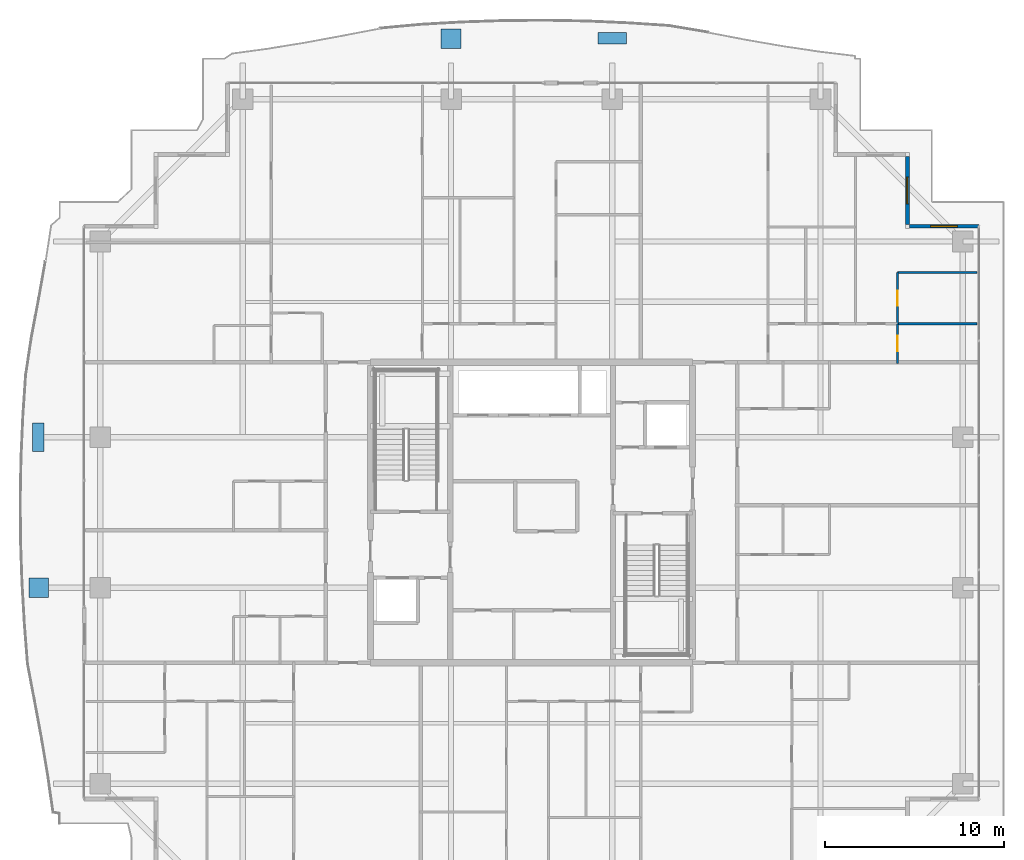
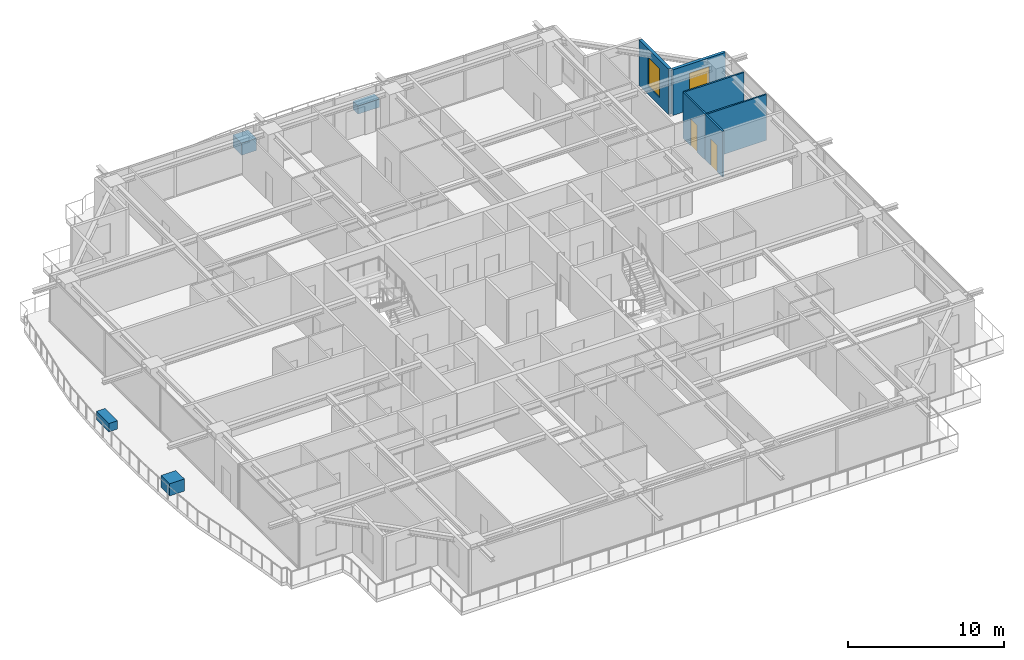
# One storey, part 32 of 39: 6 walls, 4 discrete accessories, 2 doors, 2 windows, 4 openings.
"""IFC4 building model written with IfcOpenShell, lengths in metres."""

from ifc_helpers import new_model, si_unit, direction, frame, frame_2d, origin, origin_2d, place, context, subcontext, project, spatial, rectangle, extrude, source, transform, mapped, material, layer, layer_set, type_object, element, fill, save


model = new_model("IFC4")

# Units and contexts
model_context = context("Model", 3, precision=1e-05, world=origin(), true_north=direction((0.0, 1.0)))
body_context = subcontext(model_context, "Body", "Model", "MODEL_VIEW")
ifc_project = project(units=[si_unit("LENGTHUNIT", "METRE"), si_unit("AREAUNIT", "SQUARE_METRE"), si_unit("VOLUMEUNIT", "CUBIC_METRE"), si_unit("PLANEANGLEUNIT", "RADIAN"), si_unit("MASSUNIT", "GRAM", prefix="KILO")], contexts=[model_context])

# Site, building, storey
site_placement = place(None, origin())
site = spatial("IfcSite", under=ifc_project, at=site_placement, CompositionType="ELEMENT")
building_placement = place(site_placement, origin())
building = spatial("IfcBuilding", under=site, at=building_placement, Name="Serunith Strait Residences", CompositionType="ELEMENT")
storey_placement = place(building_placement, frame((0.0, 0.0, 222.0)))
storey = spatial("IfcBuildingStorey", under=building, at=storey_placement, Name="L55", CompositionType="ELEMENT", Elevation=222.0)

# Wall, opening, window
ifc_material_1 = material(Name="Pale-Champagne Aluminium Insulated Panel", Category="aluminium")
ifc_layer_1 = layer(ifc_material_1, 0.219970703125, Name="Pale-Champagne Aluminium Insulated Panel")
ifc_layer_set_1 = layer_set([ifc_layer_1], Name="Pale-Champagne Aluminium Insulated Panel")
wall_type_1 = type_object("IfcWallType", Name="EW-ALUM-220", PredefinedType="ELEMENTEDWALL", material=ifc_layer_set_1)
wall_1_placement = place(storey_placement, frame((57.39990234375, 41.199951171875, 0.0), z_axis=(0.0, 0.0, 1.0), x_axis=(-1.0, 0.0, 0.0)))
wall_1 = element("IfcWall", 1, at=wall_1_placement, inside=storey, type_object=wall_type_1, Name="L55 Girih Serrated Corner Wall 07", PredefinedType="ELEMENTEDWALL", context=body_context, shape_type="SweptSolid", body=[
    extrude(rectangle(XDim=3.889892578125, YDim=0.219970703125, at=frame_2d((1.94482421875, 0.0))), origin(), (0.0, 0.0, 1.0), 3.574951171875),
])
opening_1_placement = place(wall_1_placement, frame((1.195068359375, 0.0, 0.64990234375)))
opening_1 = element("IfcOpeningElement", 2, at=opening_1_placement, cuts=wall_1, Name="Opening W-05", PredefinedType="OPENING", context=body_context, shape_type="SweptSolid", body=[
    extrude(rectangle(XDim=1.5, YDim=2.25, at=frame_2d((0.75, 1.125))), frame((0.0, 0.1201171875, 0.0), z_axis=(0.0, -1.0, 0.0), x_axis=(1.0, 0.0, 0.0)), (0.0, 0.0, 1.0), 0.239990234375),
])
ifc_material_2 = material(Name="Ceramic-Fritted Operable Aluminium Window Glass", Category="aluminium")
window_type = type_object("IfcWindowType", Name="WIN-C5", PartitioningType="DOUBLE_PANEL_VERTICAL", PredefinedType="WINDOW", material=ifc_material_2)
shared_shape_1 = source(origin(), body_context, "Body", "SweptSolid", [
    extrude(rectangle(XDim=1.5, YDim=2.25, at=frame_2d((0.75, 1.125))), frame((0.0, 0.030029296875, 0.0), z_axis=(0.0, -1.0, 0.0), x_axis=(1.0, 0.0, 0.0)), (0.0, 0.0, 1.0), 0.06005859375),
])
window_1_placement = place(opening_1_placement, origin())
window_1 = element("IfcWindow", 3, at=window_1_placement, inside=storey, type_object=window_type, Name="L55 Corner Operable Fritted Window 07", OverallHeight=2.25, OverallWidth=1.5, PartitioningType="SINGLE_PANEL", PredefinedType="WINDOW", context=body_context, shape_type="MappedRepresentation", body=[
    mapped(shared_shape_1, transform((0.0, 0.0, 0.0), scale=1.0)),
])
fill(opening_1, window_1)

wall_2_placement = place(storey_placement, frame((53.39990234375, 41.31005859375, 0.0), z_axis=(0.0, 0.0, 1.0), x_axis=(0.0, 1.0, 0.0)))
wall_2 = element("IfcWall", 4, at=wall_2_placement, inside=storey, type_object=wall_type_1, Name="L55 Girih Serrated Corner Wall 08", PredefinedType="ELEMENTEDWALL", context=body_context, shape_type="SweptSolid", body=[
    extrude(rectangle(XDim=3.780029296875, YDim=0.219970703125, at=frame_2d((1.89013671875, 0.0))), origin(), (0.0, 0.0, 1.0), 3.574951171875),
])
opening_2_placement = place(wall_2_placement, frame((1.139892578125, 0.0, 0.64990234375)))
opening_2 = element("IfcOpeningElement", 5, at=opening_2_placement, cuts=wall_2, Name="Opening W-05", PredefinedType="OPENING", context=body_context, shape_type="SweptSolid", body=[
    extrude(rectangle(XDim=1.5, YDim=2.25, at=frame_2d((0.75, 1.125))), frame((0.0, 0.1201171875, 0.0), z_axis=(0.0, -1.0, 0.0), x_axis=(1.0, 0.0, 0.0)), (0.0, 0.0, 1.0), 0.239990234375),
])
window_2_placement = place(opening_2_placement, origin())
window_2 = element("IfcWindow", 6, at=window_2_placement, inside=storey, type_object=window_type, Name="L55 Corner Operable Fritted Window 08", OverallHeight=2.25, OverallWidth=1.5, PartitioningType="SINGLE_PANEL", PredefinedType="WINDOW", context=body_context, shape_type="MappedRepresentation", body=[
    mapped(shared_shape_1, transform((0.0, 0.0, 0.0), scale=1.0)),
])
fill(opening_2, window_2)

# Walls
ifc_material_3 = material(Name="Lightweight steel-stud gypsum partition", Category="steel")
ifc_layer_2 = layer(ifc_material_3, 0.1201171875, Name="Lightweight steel-stud gypsum partition")
ifc_layer_set_2 = layer_set([ifc_layer_2], Name="Lightweight steel-stud gypsum partition")
wall_type_2 = type_object("IfcWallType", Name="IW-PART-120", PredefinedType="PARTITIONING", material=ifc_layer_set_2)
wall_3_placement = place(storey_placement, frame((52.85009765625, 38.60693359375, 0.0), z_axis=(0.0, 0.0, 1.0), x_axis=(1.0, 0.0, 0.0)))
element("IfcWall", 7, at=wall_3_placement, inside=storey, type_object=wall_type_2, Name="L55 Partition Wall 099", PredefinedType="PARTITIONING", context=body_context, shape_type="SweptSolid", body=[
    extrude(rectangle(XDim=4.454833984375, YDim=0.1201171875, at=frame_2d((2.2275390625, 0.0))), origin(), (0.0, 0.0, 1.0), 3.590087890625),
])
wall_4_placement = place(storey_placement, frame((52.85205078125, 35.75, 0.0), z_axis=(0.0, 0.0, 1.0), x_axis=(1.0, 0.0, 0.0)))
element("IfcWall", 8, at=wall_4_placement, inside=storey, type_object=wall_type_2, Name="L55 Partition Wall 100", PredefinedType="PARTITIONING", context=body_context, shape_type="SweptSolid", body=[
    extrude(rectangle(XDim=4.452880859375, YDim=0.1201171875, at=frame_2d((2.2265625, 0.0))), origin(), (0.0, 0.0, 1.0), 3.590087890625),
])

# Wall, opening, door
wall_5_placement = place(storey_placement, frame((52.85009765625, 38.60693359375, 0.0), z_axis=(0.0, 0.0, 1.0), x_axis=(0.0, -1.0, 0.0)))
wall_5 = element("IfcWall", 9, at=wall_5_placement, inside=storey, type_object=wall_type_2, Name="L55 Partition Wall 101", PredefinedType="PARTITIONING", context=body_context, shape_type="SweptSolid", body=[
    extrude(rectangle(XDim=2.85693359375, YDim=0.1201171875, at=frame_2d((1.428466796875, 0.0))), origin(), (0.0, 0.0, 1.0), 3.590087890625),
])
opening_3_placement = place(wall_5_placement, frame((1.0029296875, 0.0, 0.0)))
opening_3 = element("IfcOpeningElement", 10, at=opening_3_placement, cuts=wall_5, Name="Opening D-BTH850", PredefinedType="OPENING", context=body_context, shape_type="SweptSolid", body=[
    extrude(rectangle(XDim=0.85009765625, YDim=2.10009765625, at=frame_2d((0.425048828125, 1.050048828125))), frame((0.0, 0.070068359375, 0.0), z_axis=(0.0, -1.0, 0.0), x_axis=(1.0, 0.0, 0.0)), (0.0, 0.0, 1.0), 0.14013671875),
])
ifc_material_4 = material(Name="Moisture-resistant timber bathroom door", Category="wood")
door_type_1 = type_object("IfcDoorType", Name="ID-BATH-850", OperationType="NOTDEFINED", PredefinedType="DOOR", material=ifc_material_4)
shared_shape_2 = source(origin(), body_context, "Body", "SweptSolid", [
    extrude(rectangle(XDim=0.85009765625, YDim=2.10009765625, at=frame_2d((0.425048828125, 1.050048828125))), frame((0.0, 0.02490234375, 0.0), z_axis=(0.0, -1.0, 0.0), x_axis=(1.0, 0.0, 0.0)), (0.0, 0.0, 1.0), 0.050048828125),
])
door_1_placement = place(opening_3_placement, origin())
door_1 = element("IfcDoor", 11, at=door_1_placement, inside=storey, type_object=door_type_1, Name="L55 En-suite Bathroom E 5504 Door", OperationType="SINGLE_SWING_LEFT", OverallHeight=2.10009765625, OverallWidth=0.85009765625, PredefinedType="DOOR", context=body_context, shape_type="MappedRepresentation", body=[
    mapped(shared_shape_2, transform((0.0, 0.0, 0.0), scale=1.0)),
])
fill(opening_3, door_1)

wall_6_placement = place(storey_placement, frame((52.85009765625, 35.748046875, 0.0), z_axis=(0.0, 0.0, 1.0), x_axis=(0.0, -1.0, 0.0)))
wall_6 = element("IfcWall", 12, at=wall_6_placement, inside=storey, type_object=wall_type_2, Name="L55 Partition Wall 102", PredefinedType="PARTITIONING", context=body_context, shape_type="SweptSolid", body=[
    extrude(rectangle(XDim=2.2080078125, YDim=0.1201171875, at=frame_2d((1.10400390625, 0.0))), origin(), (0.0, 0.0, 1.0), 3.590087890625),
])
opening_4_placement = place(wall_6_placement, frame((0.678955078125, 0.0, 0.0)))
opening_4 = element("IfcOpeningElement", 13, at=opening_4_placement, cuts=wall_6, Name="Opening D-RM850", PredefinedType="OPENING", context=body_context, shape_type="SweptSolid", body=[
    extrude(rectangle(XDim=0.85009765625, YDim=2.10009765625, at=frame_2d((0.425048828125, 1.050048828125))), frame((0.0, 0.070068359375, 0.0), z_axis=(0.0, -1.0, 0.0), x_axis=(1.0, 0.0, 0.0)), (0.0, 0.0, 1.0), 0.14013671875),
])
ifc_material_5 = material(Name="Engineered timber flush study and kitchen door", Category="wood")
door_type_2 = type_object("IfcDoorType", Name="ID-ROOM-850", OperationType="NOTDEFINED", PredefinedType="DOOR", material=ifc_material_5)
door_2_placement = place(opening_4_placement, origin())
door_2 = element("IfcDoor", 14, at=door_2_placement, inside=storey, type_object=door_type_2, Name="L55 Wardrobe E 5504 Door", OperationType="SINGLE_SWING_RIGHT", OverallHeight=2.10009765625, OverallWidth=0.85009765625, PredefinedType="DOOR", context=body_context, shape_type="MappedRepresentation", body=[
    mapped(shared_shape_2, transform((0.0, 0.0, 0.0), scale=1.0)),
])
fill(opening_4, door_2)

# Discrete accessories
ifc_material_6 = material(Name="GFRC Root-Anchored Structural Planter")
discrete_accessory_type_1 = type_object("IfcDiscreteAccessoryType", Name="ACC-PLANTER-TREE", PredefinedType="USERDEFINED", material=ifc_material_6)
shared_shape_3 = source(origin(), body_context, "Body", "SweptSolid", [
    extrude(rectangle(XDim=1.10009765625, YDim=1.10009765625, at=origin_2d()), origin(), (0.0, 0.0, 1.0), 0.949951171875),
])
for number, where, z_axis, x_axis, name in (
    (15, (27.89990234375, 51.67236328125, -0.0498046875), (0.0, 0.0, 1.0), (-1.0, 0.0, 0.0), "L55 Vertical-Forest Tree Planter 06"),
    (16, (4.84912109375, 21.0, -0.0498046875), (0.0, 0.0, 1.0), (0.0, -1.0, 0.0), "L55 Vertical-Forest Tree Planter 14"),
):
    element("IfcDiscreteAccessory", number, at=place(storey_placement, frame(where, z_axis=z_axis, x_axis=x_axis)), inside=storey, type_object=discrete_accessory_type_1, Name=name, ObjectType="PLANTER", PredefinedType="USERDEFINED", context=body_context, shape_type="MappedRepresentation", body=[
        mapped(shared_shape_3, transform((0.0, 0.0, 0.0), scale=1.0)),
    ])
ifc_material_7 = material(Name="GFRC Irrigated Shrub Trough Planter")
discrete_accessory_type_2 = type_object("IfcDiscreteAccessoryType", Name="ACC-PLANTER-SHRUB", PredefinedType="USERDEFINED", material=ifc_material_7)
shared_shape_4 = source(origin(), body_context, "Body", "SweptSolid", [
    extrude(rectangle(XDim=1.60009765625, YDim=0.64990234375, at=origin_2d()), origin(), (0.0, 0.0, 1.0), 0.64990234375),
])
for number, where, z_axis, x_axis, name in (
    (17, (36.89990234375, 51.698486328125, -0.050048828125), (0.0, 0.0, 1.0), (-1.0, 0.0, 0.0), "L55 Vertical-Forest Shrub Planter 07"),
    (18, (4.827392578125, 29.39990234375, -0.050048828125), (0.0, 0.0, 1.0), (0.0, -1.0, 0.0), "L55 Vertical-Forest Shrub Planter 15"),
):
    element("IfcDiscreteAccessory", number, at=place(storey_placement, frame(where, z_axis=z_axis, x_axis=x_axis)), inside=storey, type_object=discrete_accessory_type_2, Name=name, ObjectType="PLANTER", PredefinedType="USERDEFINED", context=body_context, shape_type="MappedRepresentation", body=[
        mapped(shared_shape_4, transform((0.0, 0.0, 0.0), scale=1.0)),
    ])

save(model, "model.ifc")
